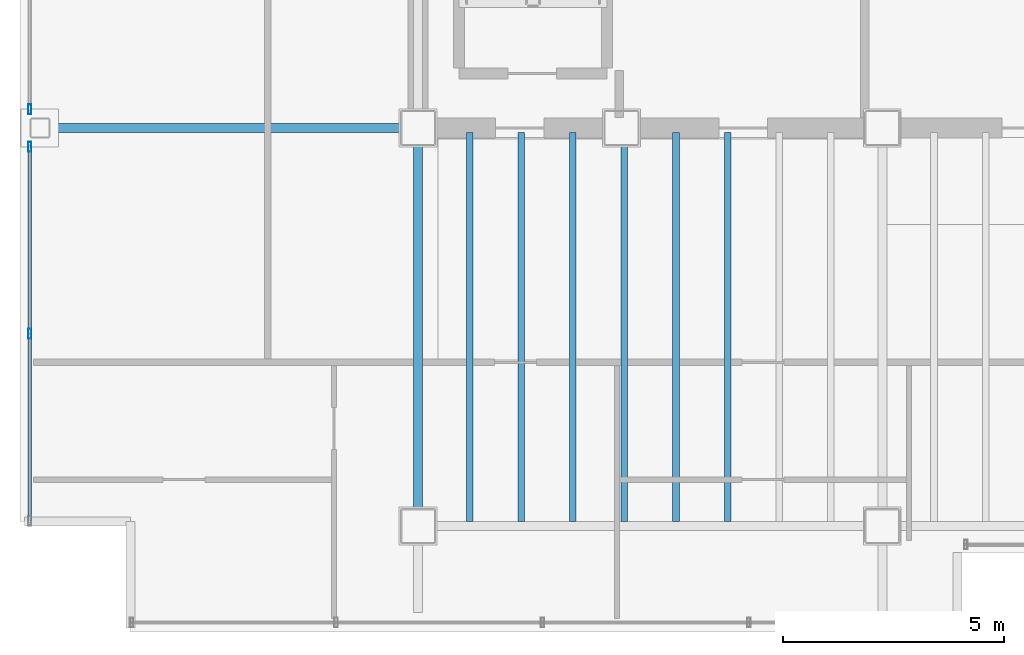
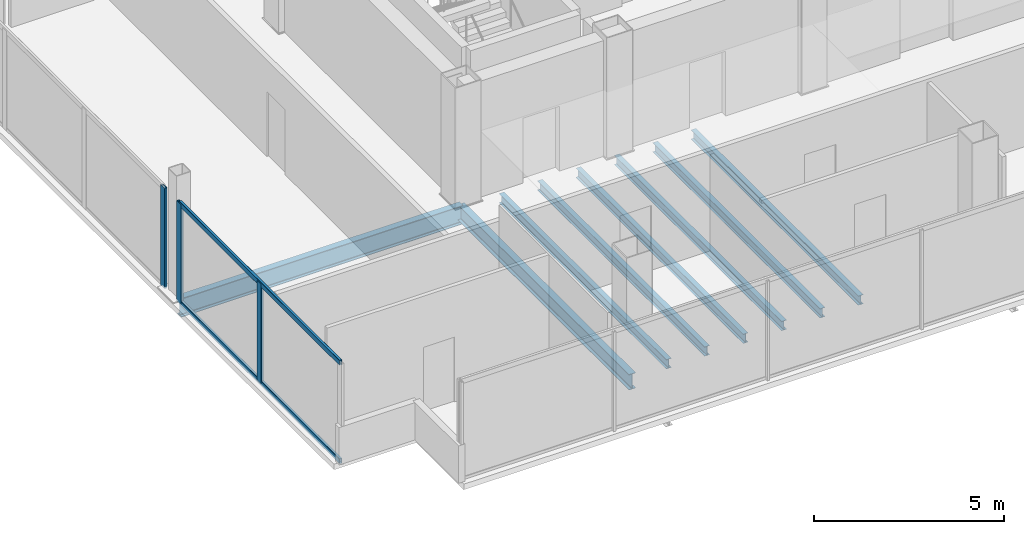
# One storey, part 4 of 17: 8 beams, 5 members, 2 elements without a shape of their own.
"""IFC4 building model written with IfcOpenShell, lengths in metres."""

from ifc_helpers import new_model, si_unit, direction, frame, origin, origin_2d, place, context, subcontext, project, spatial, hollow_rectangle, i_section, extrude, material, material_profile, profile_set, type_object, element, aggregate, save


model = new_model("IFC4")

# Units and contexts
model_context = context("Model", 3, precision=1e-05, world=origin(), true_north=direction((0.0, 1.0)))
body_context = subcontext(model_context, "Body", "Model", "MODEL_VIEW")
ifc_project = project(units=[si_unit("LENGTHUNIT", "METRE"), si_unit("AREAUNIT", "SQUARE_METRE"), si_unit("VOLUMEUNIT", "CUBIC_METRE"), si_unit("PLANEANGLEUNIT", "RADIAN"), si_unit("MASSUNIT", "GRAM", prefix="KILO")], contexts=[model_context])

# Site, building, storey
site_placement = place(None, origin())
site = spatial("IfcSite", under=ifc_project, at=site_placement, CompositionType="ELEMENT")
building_placement = place(site_placement, origin())
building = spatial("IfcBuilding", under=site, at=building_placement, Name="Noeulbin Bourse Tower", CompositionType="ELEMENT")
storey_placement = place(building_placement, frame((0.0, 0.0, 265.699951171875)))
storey = spatial("IfcBuildingStorey", under=building, at=storey_placement, Name="L66", CompositionType="ELEMENT", Elevation=265.699951171875)

# Beams
ifc_material_1 = material(Name="Steel S355", Category="steel")
ifc_material_profile_1 = material_profile(ifc_material_1, i_section(OverallWidth=0.199951171875, OverallDepth=0.5, WebThickness=0.010009765625, FlangeThickness=0.01611328125, FilletRadius=0.02001953125, at=origin_2d()), Name="H-500x200x10x16", Category="LoadBearing")
ifc_profile_set_1 = profile_set([ifc_material_profile_1], Name="Steel S355")
beam_type_1 = type_object("IfcBeamType", Name="BM-GRD-500", PredefinedType="USERDEFINED", material=ifc_profile_set_1)
beam_1_placement = place(storey_placement, frame((13.5, 20.0, -0.429931640625), z_axis=(0.0, 1.0, 0.0), x_axis=(-1.0, 0.0, 0.0)))
element("IfcBeam", 1, at=beam_1_placement, inside=storey, type_object=beam_type_1, Name="Tower Primary Girder NS L66-1.2", ObjectType="GIRDER", PredefinedType="USERDEFINED", context=body_context, shape_type="SweptSolid", body=[
    extrude(i_section(OverallWidth=0.199951171875, OverallDepth=0.5, WebThickness=0.010009765625, FlangeThickness=0.01611328125, FilletRadius=0.02001953125, at=origin_2d()), origin(), (0.0, 0.0, 1.0), 9.0),
])
ifc_material_profile_2 = material_profile(ifc_material_1, i_section(OverallWidth=0.199951171875, OverallDepth=0.60009765625, WebThickness=0.010986328125, FlangeThickness=0.01708984375, FilletRadius=0.02197265625, at=origin_2d()), Name="H-600x200x11x17", Category="LoadBearing")
ifc_profile_set_2 = profile_set([ifc_material_profile_2], Name="Steel S355")
beam_type_2 = type_object("IfcBeamType", Name="BM-GRD-600", PredefinedType="USERDEFINED", material=ifc_profile_set_2)
beam_2_placement = place(storey_placement, frame((4.949951171875, 29.0, -0.47998046875), z_axis=(1.0, 0.0, 0.0), x_axis=(0.0, 1.0, 0.0)))
element("IfcBeam", 2, at=beam_2_placement, inside=storey, type_object=beam_type_2, Name="Tower Primary Girder EW L66-2.1", ObjectType="GIRDER", PredefinedType="USERDEFINED", context=body_context, shape_type="SweptSolid", body=[
    extrude(i_section(OverallWidth=0.199951171875, OverallDepth=0.60009765625, WebThickness=0.010986328125, FlangeThickness=0.01708984375, FilletRadius=0.02197265625, at=origin_2d()), origin(), (0.0, 0.0, 1.0), 8.550048828125),
])
ifc_material_profile_3 = material_profile(ifc_material_1, i_section(OverallWidth=0.14990234375, OverallDepth=0.300048828125, WebThickness=0.006591796875, FlangeThickness=0.009033203125, FilletRadius=0.012939453125, at=origin_2d()), Name="H-300x150x6.5x9", Category="LoadBearing")
ifc_profile_set_3 = profile_set([ifc_material_profile_3], Name="Steel S355")
beam_type_3 = type_object("IfcBeamType", Name="BM-JST-300", PredefinedType="JOIST", material=ifc_profile_set_3)
for number, where, z_axis, x_axis, name in (
    (3, (14.666748046875, 20.10009765625, -0.329833984375), (0.0, 1.0, 0.0), (-1.0, 0.0, 0.0), "Tower Composite Joist L66-01"),
    (4, (15.833251953125, 20.10009765625, -0.329833984375), (0.0, 1.0, 0.0), (-1.0, 0.0, 0.0), "Tower Composite Joist L66-03"),
    (5, (17.0, 20.10009765625, -0.329833984375), (0.0, 1.0, 0.0), (-1.0, 0.0, 0.0), "Tower Composite Joist L66-05"),
    (6, (18.166748046875, 20.10009765625, -0.329833984375), (0.0, 1.0, 0.0), (-1.0, 0.0, 0.0), "Tower Composite Joist L66-07"),
    (7, (19.333251953125, 20.10009765625, -0.329833984375), (0.0, 1.0, 0.0), (-1.0, 0.0, 0.0), "Tower Composite Joist L66-09"),
    (8, (20.5, 20.10009765625, -0.329833984375), (0.0, 1.0, 0.0), (-1.0, 0.0, 0.0), "Tower Composite Joist L66-11"),
):
    element("IfcBeam", number, at=place(storey_placement, frame(where, z_axis=z_axis, x_axis=x_axis)), inside=storey, type_object=beam_type_3, Name=name, PredefinedType="JOIST", context=body_context, shape_type="SweptSolid", body=[
        extrude(i_section(OverallWidth=0.14990234375, OverallDepth=0.300048828125, WebThickness=0.006591796875, FlangeThickness=0.009033203125, FilletRadius=0.012939453125, at=origin_2d()), origin(), (0.0, 0.0, 1.0), 8.7998046875),
    ])

# Curtain wall, members
ifc_material_2 = material(Name="High-Selectivity Low-Iron Glazing", Category="glass")
curtain_wall_type = type_object("IfcCurtainWallType", Name="CW-SYS-4", PredefinedType="NOTDEFINED", material=ifc_material_2)
curtain_wall_1_placement = place(storey_placement, origin())
curtain_wall_1 = element("IfcCurtainWall", 9, at=curtain_wall_1_placement, inside=storey, type_object=curtain_wall_type, Name="Unitised Curtain Wall CW-L66-W-S1", PredefinedType="NOTDEFINED")
ifc_material_3 = material(Name="Anodised Aluminium 6063-T6", Category="aluminium")
ifc_material_profile_4 = material_profile(ifc_material_3, hollow_rectangle(XDim=0.074951171875, YDim=0.219970703125, WallThickness=0.0048828125, InnerFilletRadius=0.00244140625, OuterFilletRadius=0.0048828125, at=origin_2d()), Name="ALU-MULL-75x220x5", Category="LoadBearing")
ifc_profile_set_4 = profile_set([ifc_material_profile_4], Name="Anodised Aluminium 6063-T6")
member_type_1 = type_object("IfcMemberType", Name="CW-SYS-4-MUL", PredefinedType="MULLION", material=ifc_profile_set_4)
member_1_placement = place(storey_placement, frame((4.719970703125, 24.347412109375, -0.02001953125), z_axis=(0.0, 0.0, 1.0), x_axis=(1.0, 0.0, 0.0)))
member_1 = element("IfcMember", 10, at=member_1_placement, type_object=member_type_1, Name="Curtain Wall Mullion CW-L66-W-S1-M01", PredefinedType="MULLION", context=body_context, shape_type="SweptSolid", body=[
    extrude(hollow_rectangle(XDim=0.074951171875, YDim=0.219970703125, WallThickness=0.0048828125, InnerFilletRadius=0.00244140625, OuterFilletRadius=0.0048828125, at=origin_2d()), origin(), (0.0, 0.0, 1.0), 3.219970703125),
])
member_2_placement = place(storey_placement, frame((4.719970703125, 28.574951171875, -0.02001953125), z_axis=(0.0, 0.0, 1.0), x_axis=(1.0, 0.0, 0.0)))
member_2 = element("IfcMember", 11, at=member_2_placement, type_object=member_type_1, Name="Curtain Wall Mullion CW-L66-W-S1-M02", PredefinedType="MULLION", context=body_context, shape_type="SweptSolid", body=[
    extrude(hollow_rectangle(XDim=0.074951171875, YDim=0.219970703125, WallThickness=0.0048828125, InnerFilletRadius=0.00244140625, OuterFilletRadius=0.0048828125, at=origin_2d()), origin(), (0.0, 0.0, 1.0), 3.219970703125),
])

# Curtain wall, member
curtain_wall_2_placement = place(storey_placement, origin())
curtain_wall_2 = element("IfcCurtainWall", 12, at=curtain_wall_2_placement, inside=storey, type_object=curtain_wall_type, Name="Unitised Curtain Wall CW-L66-W-S2", PredefinedType="NOTDEFINED")
member_3_placement = place(storey_placement, frame((4.719970703125, 29.425048828125, -0.02001953125), z_axis=(0.0, 0.0, 1.0), x_axis=(1.0, 0.0, 0.0)))
member_3 = element("IfcMember", 13, at=member_3_placement, type_object=member_type_1, Name="Curtain Wall Mullion CW-L66-W-S2-M00", PredefinedType="MULLION", context=body_context, shape_type="SweptSolid", body=[
    extrude(hollow_rectangle(XDim=0.074951171875, YDim=0.219970703125, WallThickness=0.0048828125, InnerFilletRadius=0.00244140625, OuterFilletRadius=0.0048828125, at=origin_2d()), origin(), (0.0, 0.0, 1.0), 3.219970703125),
])
aggregate(curtain_wall_2, [member_3])

# Member
ifc_material_profile_5 = material_profile(ifc_material_3, hollow_rectangle(XDim=0.074951171875, YDim=0.159912109375, WallThickness=0.0048828125, InnerFilletRadius=0.00244140625, OuterFilletRadius=0.0048828125, at=origin_2d()), Name="ALU-TRAN-75x160x5", Category="LoadBearing")
ifc_profile_set_5 = profile_set([ifc_material_profile_5], Name="Anodised Aluminium 6063-T6")
member_type_2 = type_object("IfcMemberType", Name="CW-SYS-4-TRN", PredefinedType="USERDEFINED", material=ifc_profile_set_5)
member_4_placement = place(storey_placement, frame((4.719970703125, 20.1298828125, 0.010009765625), z_axis=(0.0, 1.0, 0.0), x_axis=(-1.0, 0.0, 0.0)))
member_4 = element("IfcMember", 14, at=member_4_placement, type_object=member_type_2, Name="Curtain Wall Transom CW-L66-W-S1-T00", ObjectType="TRANSOM", PredefinedType="USERDEFINED", context=body_context, shape_type="SweptSolid", body=[
    extrude(hollow_rectangle(XDim=0.074951171875, YDim=0.159912109375, WallThickness=0.0048828125, InnerFilletRadius=0.00244140625, OuterFilletRadius=0.0048828125, at=origin_2d()), origin(), (0.0, 0.0, 1.0), 8.43505859375),
])

member_5_placement = place(storey_placement, frame((4.719970703125, 20.1298828125, 3.170166015625), z_axis=(0.0, 1.0, 0.0), x_axis=(-1.0, 0.0, 0.0)))
member_5 = element("IfcMember", 15, at=member_5_placement, type_object=member_type_2, Name="Curtain Wall Transom CW-L66-W-S1-T01", ObjectType="TRANSOM", PredefinedType="USERDEFINED", context=body_context, shape_type="SweptSolid", body=[
    extrude(hollow_rectangle(XDim=0.074951171875, YDim=0.159912109375, WallThickness=0.0048828125, InnerFilletRadius=0.00244140625, OuterFilletRadius=0.0048828125, at=origin_2d()), origin(), (0.0, 0.0, 1.0), 8.43505859375),
])

aggregate(curtain_wall_1, [member_1, member_2, member_4, member_5])

save(model, "model.ifc")
